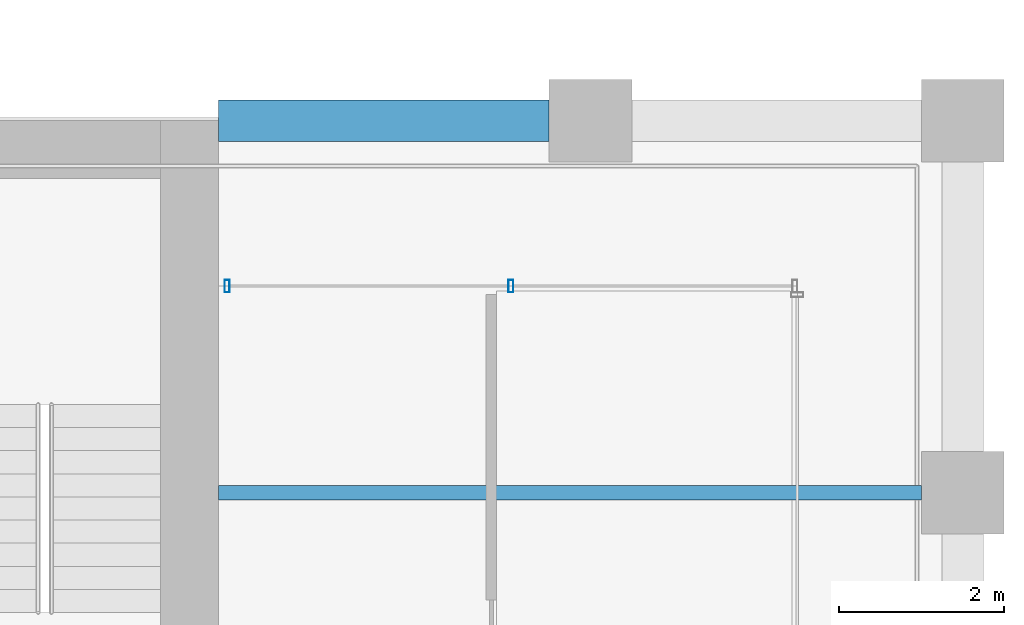
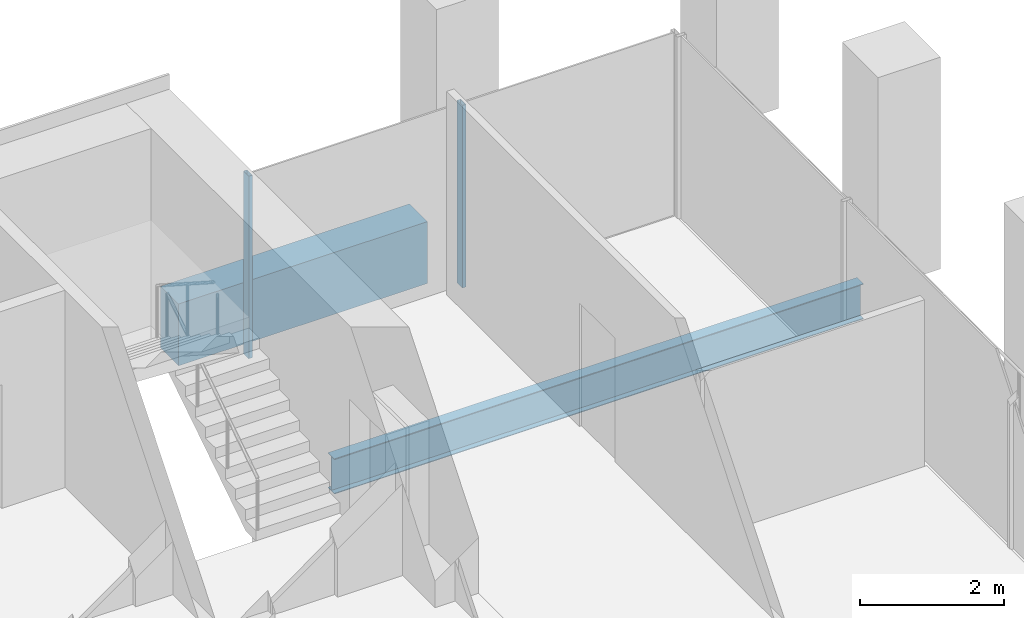
# One storey, part 36 of 46: 2 beams, 2 members, 1 element without a shape of its own.
"""IFC4 building model written with IfcOpenShell, lengths in metres."""

from ifc_helpers import new_model, si_unit, direction, frame, origin, origin_2d, place, context, subcontext, project, spatial, rectangle, hollow_rectangle, i_section, extrude, material, material_profile, profile_set, type_object, element, aggregate, save


model = new_model("IFC4")

# Units and contexts
model_context = context("Model", 3, precision=1e-05, world=origin(), true_north=direction((0.0, 1.0)))
body_context = subcontext(model_context, "Body", "Model", "MODEL_VIEW")
ifc_project = project(units=[si_unit("LENGTHUNIT", "METRE"), si_unit("AREAUNIT", "SQUARE_METRE"), si_unit("VOLUMEUNIT", "CUBIC_METRE"), si_unit("PLANEANGLEUNIT", "RADIAN"), si_unit("MASSUNIT", "GRAM", prefix="KILO")], contexts=[model_context])

# Site, building, storey
site_placement = place(None, origin())
site = spatial("IfcSite", under=ifc_project, at=site_placement, CompositionType="ELEMENT")
building_placement = place(site_placement, origin())
building = spatial("IfcBuilding", under=site, at=building_placement, Name="Altepetl Exchange Towers", CompositionType="ELEMENT")
storey_placement = place(building_placement, frame((0.0, 0.0, 120.800048828125)))
storey = spatial("IfcBuildingStorey", under=building, at=storey_placement, Name="L29", CompositionType="ELEMENT", Elevation=120.800048828125)

# Beam
ifc_material_1 = material(Name="Steel S355", Category="steel")
ifc_material_profile_1 = material_profile(ifc_material_1, i_section(OverallWidth=0.177978515625, OverallDepth=0.59912109375, WebThickness=0.010009765625, FlangeThickness=0.0126953125, at=origin_2d()), Name="W24X55")
ifc_profile_set_1 = profile_set([ifc_material_profile_1], Name="Steel S355")
beam_type_1 = type_object("IfcBeamType", Name="Floor beam W24X55", PredefinedType="BEAM", material=ifc_profile_set_1)
beam_1_placement = place(storey_placement, frame((117.0, 45.0, -0.449462890625), z_axis=(1.0, 0.0, 0.0), x_axis=(0.0, 1.0, 0.0)))
element("IfcBeam", 1, at=beam_1_placement, inside=storey, type_object=beam_type_1, Name="bm:B:L29:003", PredefinedType="BEAM", context=body_context, shape_type="SweptSolid", body=[
    extrude(i_section(OverallWidth=0.177978515625, OverallDepth=0.59912109375, WebThickness=0.010009765625, FlangeThickness=0.0126953125, at=origin_2d()), origin(), (0.0, 0.0, 1.0), 8.5),
])

# Curtain wall, members
ifc_material_2 = material(Name="Aluminium 6063-T6 glazing", Category="aluminium")
curtain_wall_type = type_object("IfcCurtainWallType", Name="Loggia glazing system", PredefinedType="NOTDEFINED", material=ifc_material_2)
curtain_wall_placement = place(storey_placement, origin())
curtain_wall = element("IfcCurtainWall", 2, at=curtain_wall_placement, inside=storey, type_object=curtain_wall_type, Name="CW1 run", PredefinedType="NOTDEFINED")
ifc_material_3 = material(Name="Aluminium 6063-T6", Category="aluminium")
ifc_material_profile_2 = material_profile(ifc_material_3, hollow_rectangle(XDim=0.06005859375, YDim=0.14990234375, WallThickness=0.0029296875, at=origin_2d()), Name="Mullion 60x150 aluminium")
ifc_profile_set_2 = profile_set([ifc_material_profile_2], Name="Aluminium 6063-T6")
member_type = type_object("IfcMemberType", Name="Mullion 60x150 aluminium", PredefinedType="MULLION", material=ifc_profile_set_2)
member_1_placement = place(storey_placement, frame((120.53759765625, 47.5, 0.0), z_axis=(0.0, 0.0, 1.0), x_axis=(-1.0, 0.0, 0.0)))
member_1 = element("IfcMember", 3, at=member_1_placement, type_object=member_type, Name="MU1 mullion", PredefinedType="MULLION", context=body_context, shape_type="SweptSolid", body=[
    extrude(hollow_rectangle(XDim=0.06005859375, YDim=0.14990234375, WallThickness=0.0029296875, at=origin_2d()), origin(), (0.0, 0.0, 1.0), 3.099853515625),
])
member_2_placement = place(storey_placement, frame((117.10498046875, 47.5, 0.0), z_axis=(0.0, 0.0, 1.0), x_axis=(-1.0, 0.0, 0.0)))
member_2 = element("IfcMember", 4, at=member_2_placement, type_object=member_type, Name="MU1 mullion", PredefinedType="MULLION", context=body_context, shape_type="SweptSolid", body=[
    extrude(hollow_rectangle(XDim=0.06005859375, YDim=0.14990234375, WallThickness=0.0029296875, at=origin_2d()), origin(), (0.0, 0.0, 1.0), 3.099853515625),
])
aggregate(curtain_wall, [member_1, member_2])

# Beam
ifc_material_4 = material(Name="Concrete C50/60 precast with cantera amarilla facing", Category="concrete")
ifc_material_profile_3 = material_profile(ifc_material_4, rectangle(XDim=0.5, YDim=1.050048828125, at=origin_2d()), Name="500 x 1050")
ifc_profile_set_3 = profile_set([ifc_material_profile_3], Name="Concrete C50/60 precast with cantera amarilla facing")
beam_type_2 = type_object("IfcBeamType", Name="Spandrel beam 500x1050 cantera amarilla", PredefinedType="SPANDREL", material=ifc_profile_set_3)
beam_2_placement = place(storey_placement, frame((121.0, 49.5, -0.675048828125), z_axis=(-1.0, 0.0, 0.0), x_axis=(0.0, -1.0, 0.0)))
element("IfcBeam", 5, at=beam_2_placement, inside=storey, type_object=beam_type_2, Name="sp:B:L29:014", PredefinedType="SPANDREL", context=body_context, shape_type="SweptSolid", body=[
    extrude(rectangle(XDim=0.5, YDim=1.050048828125, at=origin_2d()), origin(), (0.0, 0.0, 1.0), 4.0),
])

save(model, "model.ifc")
